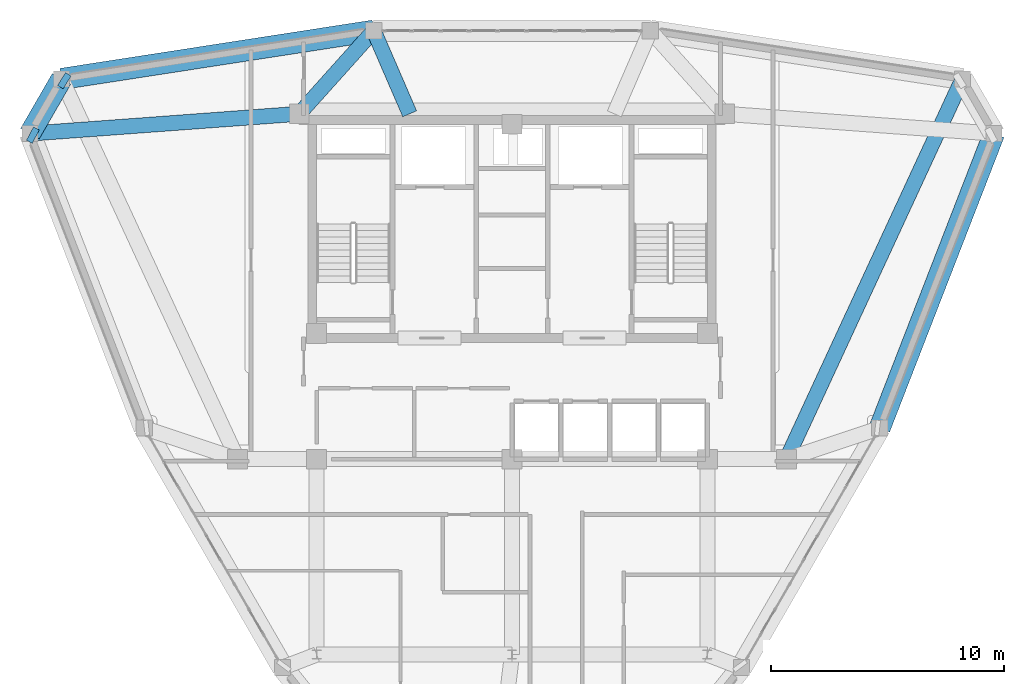
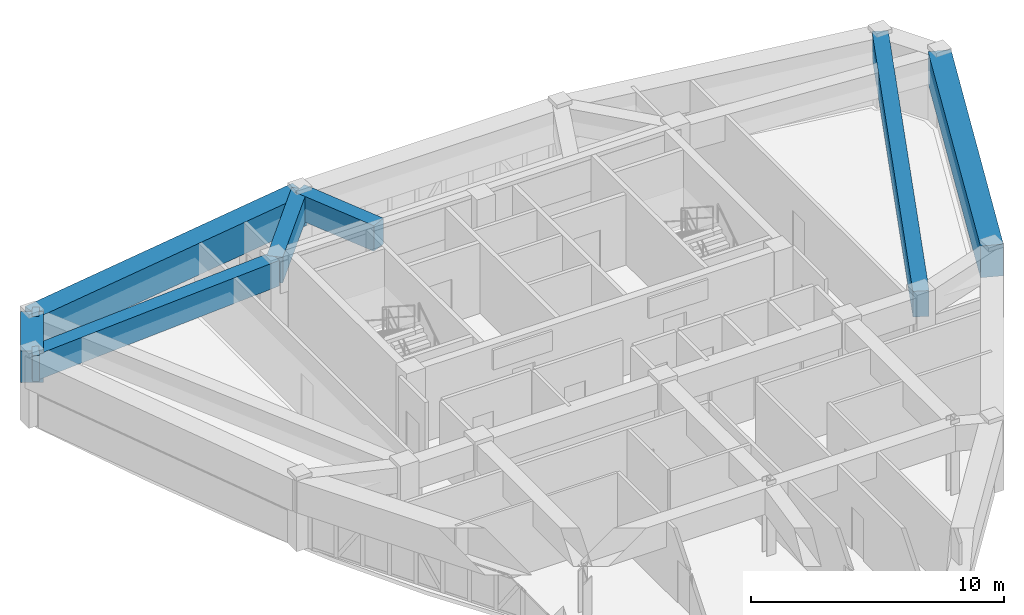
# One storey, part 8 of 16: 9 beams.
"""IFC4 building model written with IfcOpenShell, lengths in metres."""

from ifc_helpers import new_model, si_unit, derived_unit, direction, frame, origin, origin_2d, place, context, subcontext, project, spatial, rectangle, extrude, source, transform, mapped, material, material_profile, profile_set, type_object, element, save


model = new_model("IFC4")

# Units and contexts
model_context = context("Model", 3, precision=1e-05, world=origin(), true_north=direction((0.0, 1.0)))
body_context = subcontext(model_context, "Body", "Model", "MODEL_VIEW")
ifc_project = project(units=[si_unit("LENGTHUNIT", "METRE"), si_unit("AREAUNIT", "SQUARE_METRE"), si_unit("VOLUMEUNIT", "CUBIC_METRE"), si_unit("PLANEANGLEUNIT", "RADIAN"), si_unit("MASSUNIT", "GRAM", prefix="KILO"), derived_unit("THERMALTRANSMITTANCEUNIT", [(si_unit("POWERUNIT", "WATT"), 1), (si_unit("LENGTHUNIT", "METRE"), -2), (si_unit("THERMODYNAMICTEMPERATUREUNIT", "KELVIN"), -1)])], contexts=[model_context])

# Site, building, storey
site_placement = place(None, origin())
site = spatial("IfcSite", under=ifc_project, at=site_placement, CompositionType="ELEMENT")
building_placement = place(site_placement, origin())
building = spatial("IfcBuilding", under=site, at=building_placement, Name="Korsvarv Bourse and Concert Hall", CompositionType="ELEMENT")
storey_placement = place(building_placement, frame((0.0, 0.0, 261.0)))
storey = spatial("IfcBuildingStorey", under=building, at=storey_placement, Name="L68", CompositionType="ELEMENT", Elevation=261.0)

# Beams
ifc_material = material(Name="Concrete C50/60", Category="concrete")
ifc_material_profile_1 = material_profile(ifc_material, rectangle(XDim=0.919921875, YDim=1.530029296875, at=origin_2d()), Name="RC-BM 920x1530")
ifc_profile_set_1 = profile_set([ifc_material_profile_1], Name="Concrete C50/60")
beam_type_1 = type_object("IfcBeamType", Name="BM-TR-154", PredefinedType="BEAM", material=ifc_profile_set_1)
shared_shape_1 = source(origin(), body_context, "Body", "SweptSolid", [
    extrude(rectangle(XDim=0.919921875, YDim=1.530029296875, at=origin_2d()), origin(), (0.0, 0.0, 1.0), 2.71337890625),
])
beam_1_placement = place(storey_placement, frame((16.631591796875, 48.7490234375, 2.64501953125), z_axis=(-0.500000246922, -0.866025261224, 0.0), x_axis=(0.866025261224, -0.500000246922, 0.0)))
element("IfcBeam", 1, at=beam_1_placement, inside=storey, type_object=beam_type_1, Name="L68 beam B-TR6", PredefinedType="BEAM", context=body_context, shape_type="MappedRepresentation", body=[
    mapped(shared_shape_1, transform((0.0, 0.0, 0.0), scale=1.0)),
])
shared_shape_2 = source(origin(), body_context, "Body", "SweptSolid", [
    extrude(rectangle(XDim=0.919921875, YDim=1.530029296875, at=origin_2d()), origin(), (0.0, 0.0, 1.0), 13.581787109375),
])
beam_2_placement = place(storey_placement, frame((30.05419921875, 50.82275390625, 2.64501953125), z_axis=(-0.988275075433, -0.152683906414, 0.0), x_axis=(0.152683906414, -0.988275075433, 0.0)))
element("IfcBeam", 2, at=beam_2_placement, inside=storey, type_object=beam_type_1, Name="L68 beam B-TR6", PredefinedType="BEAM", context=body_context, shape_type="MappedRepresentation", body=[
    mapped(shared_shape_2, transform((0.0, 0.0, 0.0), scale=1.0)),
])
shared_shape_3 = source(origin(), body_context, "Body", "SweptSolid", [
    extrude(rectangle(XDim=0.919921875, YDim=1.530029296875, at=origin_2d()), origin(), (0.0, 0.0, 1.0), 13.58203125),
])
beam_3_placement = place(storey_placement, frame((51.809814453125, 33.73779296875, 2.64501953125), z_axis=(0.361897107662, 0.932218045023, 0.0), x_axis=(-0.932218045023, 0.361897107662, 0.0)))
element("IfcBeam", 3, at=beam_3_placement, inside=storey, type_object=beam_type_1, Name="L68 beam B-TR6", PredefinedType="BEAM", context=body_context, shape_type="MappedRepresentation", body=[
    mapped(shared_shape_3, transform((0.0, 0.0, 0.0), scale=1.0)),
])
ifc_material_profile_2 = material_profile(ifc_material, rectangle(XDim=0.64990234375, YDim=1.239990234375, at=origin_2d()), Name="RC-BM 650x1240")
ifc_profile_set_2 = profile_set([ifc_material_profile_2], Name="Concrete C50/60")
beam_type_2 = type_object("IfcBeamType", Name="BM-TR-SPN", PredefinedType="BEAM", material=ifc_profile_set_2)
shared_shape_4 = source(origin(), body_context, "Body", "SweptSolid", [
    extrude(rectangle(XDim=0.64990234375, YDim=1.239990234375, at=origin_2d()), origin(), (0.0, 0.0, 1.0), 11.6064453125),
])
beam_4_placement = place(storey_placement, frame((15.27490234375, 46.399169921875, 2.7900390625), z_axis=(0.997309434835, 0.073306829081, 0.0), x_axis=(-0.073306829081, 0.997309434835, 0.0)))
element("IfcBeam", 4, at=beam_4_placement, inside=storey, type_object=beam_type_2, Name="L68 beam B-TRS", PredefinedType="BEAM", context=body_context, shape_type="MappedRepresentation", body=[
    mapped(shared_shape_4, transform((0.0, 0.0, 0.0), scale=1.0)),
])
shared_shape_5 = source(origin(), body_context, "Body", "SweptSolid", [
    extrude(rectangle(XDim=0.64990234375, YDim=1.239990234375, at=origin_2d()), origin(), (0.0, 0.0, 1.0), 18.015869140625),
])
beam_5_placement = place(storey_placement, frame((55.368408203125, 48.7490234375, 2.7900390625), z_axis=(-0.420092569243, -0.907481257805, 0.0), x_axis=(0.907481257805, -0.420092569243, 0.0)))
element("IfcBeam", 5, at=beam_5_placement, inside=storey, type_object=beam_type_2, Name="L68 beam B-TRS", PredefinedType="BEAM", context=body_context, shape_type="MappedRepresentation", body=[
    mapped(shared_shape_5, transform((0.0, 0.0, 0.0), scale=1.0)),
])
shared_shape_6 = source(origin(), body_context, "Body", "SweptSolid", [
    extrude(rectangle(XDim=0.64990234375, YDim=1.239990234375, at=origin_2d()), origin(), (0.0, 0.0, 1.0), 4.799072265625),
])
beam_6_placement = place(storey_placement, frame((30.05419921875, 50.82275390625, 2.7900390625), z_axis=(-0.667653930614, -0.744471778468, 0.0), x_axis=(0.744471778468, -0.667653930614, 0.0)))
element("IfcBeam", 6, at=beam_6_placement, inside=storey, type_object=beam_type_2, Name="L68 beam B-TRS", PredefinedType="BEAM", context=body_context, shape_type="MappedRepresentation", body=[
    mapped(shared_shape_6, transform((0.0, 0.0, 0.0), scale=1.0)),
])
shared_shape_7 = source(origin(), body_context, "Body", "SweptSolid", [
    extrude(rectangle(XDim=0.64990234375, YDim=1.239990234375, at=origin_2d()), origin(), (0.0, 0.0, 1.0), 0.283935546875),
])
for number, where, z_axis, x_axis, name in (
    (7, (16.631591796875, 48.7490234375, 2.7900390625), (0.846691871974, -0.532083521576, 0.0), (0.532083521576, 0.846691871974, 0.0), "L68 beam B-TRS"),
    (8, (15.27490234375, 46.399169921875, 2.7900390625), (0.883871558168, -0.467729696151, 0.0), (0.467729696151, 0.883871558168, 0.0), "L68 beam B-TRS"),
):
    element("IfcBeam", number, at=place(storey_placement, frame(where, z_axis=z_axis, x_axis=x_axis)), inside=storey, type_object=beam_type_2, Name=name, PredefinedType="BEAM", context=body_context, shape_type="MappedRepresentation", body=[
        mapped(shared_shape_7, transform((0.0, 0.0, 0.0), scale=1.0)),
    ])
shared_shape_8 = source(origin(), body_context, "Body", "SweptSolid", [
    extrude(rectangle(XDim=0.64990234375, YDim=1.239990234375, at=origin_2d()), origin(), (0.0, 0.0, 1.0), 3.893310546875),
])
beam_7_placement = place(storey_placement, frame((30.05419921875, 50.82275390625, 2.7900390625), z_axis=(0.397322325566, -0.917679121265, 0.0), x_axis=(0.917679121265, 0.397322325566, 0.0)))
element("IfcBeam", 9, at=beam_7_placement, inside=storey, type_object=beam_type_2, Name="L68 beam B-TRS", PredefinedType="BEAM", context=body_context, shape_type="MappedRepresentation", body=[
    mapped(shared_shape_8, transform((0.0, 0.0, 0.0), scale=1.0)),
])

save(model, "model.ifc")
